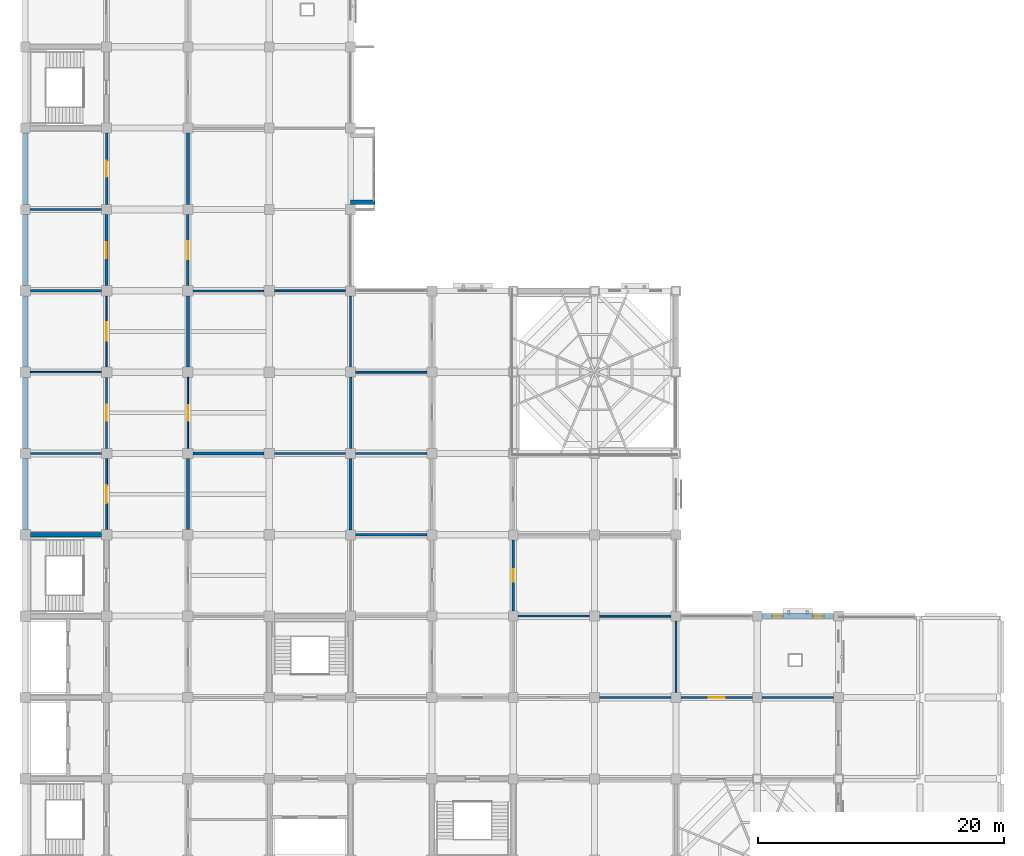
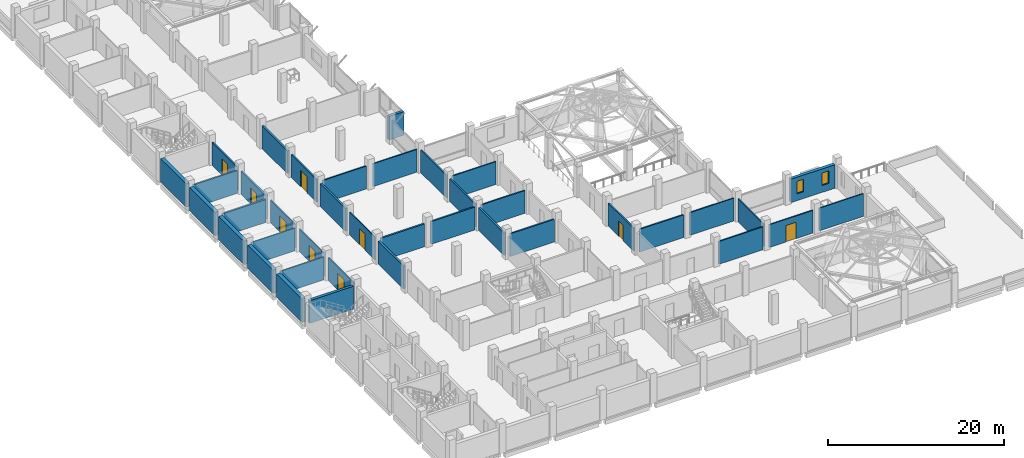
# One storey, part 16 of 25: 39 walls, 9 doors, 2 windows, 11 openings.
"""IFC4 building model written with IfcOpenShell, lengths in metres."""

from ifc_helpers import new_model, si_unit, direction, frame, frame_2d, origin, place, context, subcontext, project, spatial, rectangle, extrude, material, layer, layer_set, type_object, element, fill, save


model = new_model("IFC4")

# Units and contexts
model_context = context("Model", 3, precision=1e-05, world=origin(), true_north=direction((0.0, 1.0)))
body_context = subcontext(model_context, "Body", "Model", "MODEL_VIEW")
ifc_project = project(units=[si_unit("LENGTHUNIT", "METRE"), si_unit("AREAUNIT", "SQUARE_METRE"), si_unit("VOLUMEUNIT", "CUBIC_METRE"), si_unit("PLANEANGLEUNIT", "RADIAN"), si_unit("MASSUNIT", "GRAM", prefix="KILO")], contexts=[model_context])

# Site, building, storey
site_placement = place(None, origin())
site = spatial("IfcSite", under=ifc_project, at=site_placement, CompositionType="ELEMENT")
building_placement = place(site_placement, origin())
building = spatial("IfcBuilding", under=site, at=building_placement, Name="Rusizi Kubbe Research Institute", CompositionType="ELEMENT")
storey_placement = place(building_placement, frame((0.0, 0.0, 14.39990234375)))
storey = spatial("IfcBuildingStorey", under=building, at=storey_placement, Name="L03", CompositionType="ELEMENT", Elevation=14.39990234375)

# Wall
ifc_material_1 = material(Name="Concrete C45/55", Category="concrete")
ifc_layer_1 = layer(ifc_material_1, 0.35009765625)
ifc_layer_set_1 = layer_set([ifc_layer_1], Name="Concrete C45/55")
wall_type_1 = type_object("IfcWallType", Name="CRW-01", PredefinedType="SHEAR", material=ifc_layer_set_1)
wall_1_placement = place(storey_placement, frame((0.425048828125, 33.0, 0.0), z_axis=(0.0, 0.0, 1.0), x_axis=(1.0, 0.0, 0.0)))
element("IfcWall", 1, at=wall_1_placement, inside=storey, type_object=wall_type_1, Name="Stair Core Shear Wall ST2 L03 N", PredefinedType="SHEAR", context=body_context, shape_type="SweptSolid", body=[
    extrude(rectangle(XDim=5.75, YDim=0.35009765625, at=frame_2d((2.875, 0.0))), origin(), (0.0, 0.0, 1.0), 3.16015625),
])

# Wall, openings, windows
ifc_material_2 = material(Name="Volcanic Basalt Ashlar Masonry", Category="masonry")
ifc_layer_2 = layer(ifc_material_2, 0.419921875)
ifc_layer_set_2 = layer_set([ifc_layer_2], Name="Volcanic Basalt Ashlar Masonry")
wall_type_2 = type_object("IfcWallType", Name="EW-02", PredefinedType="SOLIDWALL", material=ifc_layer_set_2)
wall_2_placement = place(storey_placement, frame((59.800048828125, 26.39990234375, 0.0), z_axis=(0.0, 0.0, 1.0), x_axis=(1.0, 0.0, 0.0)))
wall_2 = element("IfcWall", 2, at=wall_2_placement, inside=storey, type_object=wall_type_2, Name="Ablaq Stone Exterior Wall L03 H9-4", PredefinedType="SOLIDWALL", context=body_context, shape_type="SweptSolid", body=[
    extrude(rectangle(XDim=5.800048828125, YDim=0.419921875, at=frame_2d((2.89990234375, 0.0))), origin(), (0.0, 0.0, 1.0), 3.260009765625),
])
opening_1_placement = place(wall_2_placement, frame((0.800048828125, 0.0, 0.949951171875)))
opening_1 = element("IfcOpeningElement", 3, at=opening_1_placement, cuts=wall_2, Name="Opening WN-03", PredefinedType="OPENING", context=body_context, shape_type="SweptSolid", body=[
    extrude(rectangle(XDim=0.8798828125, YDim=1.739990234375, at=frame_2d((0.43994140625, 0.8701171875))), frame((0.0, 0.219970703125, 0.0), z_axis=(0.0, -1.0, 0.0), x_axis=(1.0, 0.0, 0.0)), (0.0, 0.0, 1.0), 0.43994140625),
])
opening_2_placement = place(wall_2_placement, frame((4.1201171875, 0.0, 0.949951171875)))
opening_2 = element("IfcOpeningElement", 4, at=opening_2_placement, cuts=wall_2, Name="Opening WN-03", PredefinedType="OPENING", context=body_context, shape_type="SweptSolid", body=[
    extrude(rectangle(XDim=0.8798828125, YDim=1.739990234375, at=frame_2d((0.43994140625, 0.8701171875))), frame((0.0, 0.219970703125, 0.0), z_axis=(0.0, -1.0, 0.0), x_axis=(1.0, 0.0, 0.0)), (0.0, 0.0, 1.0), 0.43994140625),
])
ifc_material_3 = material(Name="Aluminium Frame and Solar-Control Double Glazing", Category="glass")
window_type = type_object("IfcWindowType", Name="WN-03", PartitioningType="SINGLE_PANEL", PredefinedType="WINDOW", material=ifc_material_3)
window_1_placement = place(opening_1_placement, origin())
window_1 = element("IfcWindow", 5, at=window_1_placement, inside=storey, type_object=window_type, Name="Casement Window WN-03 L03", OverallHeight=1.739990234375, OverallWidth=0.8798828125, PartitioningType="SINGLE_PANEL", PredefinedType="WINDOW", context=body_context, shape_type="SweptSolid", body=[
    extrude(rectangle(XDim=0.8798828125, YDim=1.739990234375, at=frame_2d((0.43994140625, 0.8701171875))), frame((0.0, 0.030029296875, 0.0), z_axis=(0.0, -1.0, 0.0), x_axis=(1.0, 0.0, 0.0)), (0.0, 0.0, 1.0), 0.06005859375),
])
fill(opening_1, window_1)
window_2_placement = place(opening_2_placement, origin())
window_2 = element("IfcWindow", 6, at=window_2_placement, inside=storey, type_object=window_type, Name="Casement Window WN-03 L03", OverallHeight=1.739990234375, OverallWidth=0.8798828125, PartitioningType="SINGLE_PANEL", PredefinedType="WINDOW", context=body_context, shape_type="SweptSolid", body=[
    extrude(rectangle(XDim=0.8798828125, YDim=1.739990234375, at=frame_2d((0.43994140625, 0.8701171875))), frame((0.0, 0.030029296875, 0.0), z_axis=(0.0, -1.0, 0.0), x_axis=(1.0, 0.0, 0.0)), (0.0, 0.0, 1.0), 0.06005859375),
])
fill(opening_2, window_2)

# Walls
ifc_material_4 = material(Name="Volcanic Basalt Ashlar Masonry", Category="masonry")
ifc_layer_3 = layer(ifc_material_4, 0.35498046875)
ifc_layer_set_3 = layer_set([ifc_layer_3], Name="Volcanic Basalt Ashlar Masonry")
wall_type_3 = type_object("IfcWallType", Name="EW-06", PredefinedType="SOLIDWALL", material=ifc_layer_set_3)
wall_3_placement = place(storey_placement, frame((26.39990234375, 60.0, 0.0), z_axis=(0.0, 0.0, 1.0), x_axis=(1.0, 0.0, 0.0)))
element("IfcWall", 7, at=wall_3_placement, inside=storey, type_object=wall_type_3, Name="Cumba Return Wall S L03 (4,9)", PredefinedType="SOLIDWALL", context=body_context, shape_type="SweptSolid", body=[
    extrude(rectangle(XDim=2.0, YDim=0.35498046875, at=frame_2d((1.0, 0.0))), origin(), (0.0, 0.0, 1.0), 3.260009765625),
])
ifc_material_5 = material(Name="Concrete Blockwork Fire Partition", Category="masonry")
ifc_layer_4 = layer(ifc_material_5, 0.22509765625)
ifc_layer_set_4 = layer_set([ifc_layer_4], Name="Concrete Blockwork Fire Partition")
wall_type_4 = type_object("IfcWallType", Name="IW-01", PredefinedType="PARTITIONING", material=ifc_layer_set_4)
wall_4_placement = place(storey_placement, frame((0.425048828125, 52.800048828125, 0.0), z_axis=(0.0, 0.0, 1.0), x_axis=(1.0, 0.0, 0.0)))
element("IfcWall", 8, at=wall_4_placement, inside=storey, type_object=wall_type_4, Name="Interior Partition Wall L03 H0-8", PredefinedType="PARTITIONING", context=body_context, shape_type="SweptSolid", body=[
    extrude(rectangle(XDim=5.75, YDim=0.22509765625, at=frame_2d((2.875, 0.0))), origin(), (0.0, 0.0, 1.0), 3.16015625),
])

# Wall, opening, door
wall_5_placement = place(storey_placement, frame((6.60009765625, 53.22509765625, 0.0), z_axis=(0.0, 0.0, 1.0), x_axis=(0.0, 1.0, 0.0)))
wall_5 = element("IfcWall", 9, at=wall_5_placement, inside=storey, type_object=wall_type_4, Name="Interior Partition Wall L03 V1-8", PredefinedType="PARTITIONING", context=body_context, shape_type="SweptSolid", body=[
    extrude(rectangle(XDim=5.77490234375, YDim=0.22509765625, at=frame_2d((2.887451171875, 0.0))), origin(), (0.0, 0.0, 1.0), 3.16015625),
])
opening_3_placement = place(wall_5_placement, frame((2.215087890625, 0.0, 0.0)))
opening_3 = element("IfcOpeningElement", 10, at=opening_3_placement, cuts=wall_5, Name="Opening LD-07", PredefinedType="OPENING", context=body_context, shape_type="SweptSolid", body=[
    extrude(rectangle(XDim=1.320068359375, YDim=2.199951171875, at=frame_2d((0.66015625, 1.10009765625))), frame((0.0, 0.12255859375, 0.0), z_axis=(0.0, -1.0, 0.0), x_axis=(1.0, 0.0, 0.0)), (0.0, 0.0, 1.0), 0.2451171875),
])
ifc_material_6 = material(Name="Brushed Stainless Steel Sliding Door", Category="steel")
door_type_1 = type_object("IfcDoorType", Name="LD-07", OperationType="DOUBLE_DOOR_SLIDING", PredefinedType="USERDEFINED", material=ifc_material_6)
door_1_placement = place(opening_3_placement, origin())
door_1 = element("IfcDoor", 11, at=door_1_placement, inside=storey, type_object=door_type_1, Name="Door to ISO-6 Clean Room Suite (L03-CR-08)", ObjectType="SLIDING DOOR", OperationType="DOUBLE_DOOR_SLIDING", OverallHeight=2.199951171875, OverallWidth=1.320068359375, PredefinedType="USERDEFINED", context=body_context, shape_type="SweptSolid", body=[
    extrude(rectangle(XDim=1.320068359375, YDim=2.199951171875, at=frame_2d((0.66015625, 1.10009765625))), frame((0.0, 0.02490234375, 0.0), z_axis=(0.0, -1.0, 0.0), x_axis=(1.0, 0.0, 0.0)), (0.0, 0.0, 1.0), 0.050048828125),
])
fill(opening_3, door_1)

# Walls
wall_6_placement = place(storey_placement, frame((13.625, 39.60009765625, 0.0), z_axis=(0.0, 0.0, 1.0), x_axis=(1.0, 0.0, 0.0)))
element("IfcWall", 12, at=wall_6_placement, inside=storey, type_object=wall_type_4, Name="Interior Partition Wall L03 H2-6", PredefinedType="PARTITIONING", context=body_context, shape_type="SweptSolid", body=[
    extrude(rectangle(XDim=5.75, YDim=0.22509765625, at=frame_2d((2.875, 0.0))), origin(), (0.0, 0.0, 1.0), 3.16015625),
])
wall_7_placement = place(storey_placement, frame((26.39990234375, 33.39990234375, 0.0), z_axis=(0.0, 0.0, 1.0), x_axis=(0.0, 1.0, 0.0)))
element("IfcWall", 13, at=wall_7_placement, inside=storey, type_object=wall_type_4, Name="Interior Partition Wall L03 V4-5", PredefinedType="PARTITIONING", context=body_context, shape_type="SweptSolid", body=[
    extrude(rectangle(XDim=5.800048828125, YDim=0.22509765625, at=frame_2d((2.89990234375, 0.0))), origin(), (0.0, 0.0, 1.0), 3.16015625),
])
ifc_material_7 = material(Name="Insulated Cleanroom Partition", Category="masonry")
ifc_layer_5 = layer(ifc_material_7, 0.195068359375)
ifc_layer_set_5 = layer_set([ifc_layer_5], Name="Insulated Cleanroom Partition")
wall_type_5 = type_object("IfcWallType", Name="IW-02", PredefinedType="PARTITIONING", material=ifc_layer_set_5)
wall_8_placement = place(storey_placement, frame((0.39990234375, 59.39990234375, 0.0), z_axis=(0.0, 0.0, 1.0), x_axis=(1.0, 0.0, 0.0)))
element("IfcWall", 14, at=wall_8_placement, inside=storey, type_object=wall_type_5, Name="Interior Partition Wall L03 H0-9", PredefinedType="PARTITIONING", context=body_context, shape_type="SweptSolid", body=[
    extrude(rectangle(XDim=5.800048828125, YDim=0.195068359375, at=frame_2d((2.89990234375, 0.0))), origin(), (0.0, 0.0, 1.0), 3.16015625),
])

# Wall, opening, door
wall_9_placement = place(storey_placement, frame((6.60009765625, 59.800048828125, 0.0), z_axis=(0.0, 0.0, 1.0), x_axis=(0.0, 1.0, 0.0)))
wall_9 = element("IfcWall", 15, at=wall_9_placement, inside=storey, type_object=wall_type_5, Name="Interior Partition Wall L03 V1-9", PredefinedType="PARTITIONING", context=body_context, shape_type="SweptSolid", body=[
    extrude(rectangle(XDim=5.800048828125, YDim=0.195068359375, at=frame_2d((2.89990234375, 0.0))), origin(), (0.0, 0.0, 1.0), 3.16015625),
])
opening_4_placement = place(wall_9_placement, frame((2.25, 0.0, 0.0)))
opening_4 = element("IfcOpeningElement", 16, at=opening_4_placement, cuts=wall_9, Name="Opening D-14", PredefinedType="OPENING", context=body_context, shape_type="SweptSolid", body=[
    extrude(rectangle(XDim=1.300048828125, YDim=2.300048828125, at=frame_2d((0.64990234375, 1.14990234375))), frame((0.0, 0.107421875, 0.0), z_axis=(0.0, -1.0, 0.0), x_axis=(1.0, 0.0, 0.0)), (0.0, 0.0, 1.0), 0.215087890625),
])
ifc_material_8 = material(Name="Fire-Rated Steel Frame and Acoustic Timber Leaf", Category="wood")
door_type_2 = type_object("IfcDoorType", Name="ID-LAB-130", OperationType="NOTDEFINED", PredefinedType="DOOR", material=ifc_material_8)
door_2_placement = place(opening_4_placement, origin())
door_2 = element("IfcDoor", 17, at=door_2_placement, inside=storey, type_object=door_type_2, Name="Door to Clean Room Metrology Laboratory (L03-WSP-09)", OperationType="SINGLE_SWING_RIGHT", OverallHeight=2.300048828125, OverallWidth=1.300048828125, PredefinedType="DOOR", context=body_context, shape_type="SweptSolid", body=[
    extrude(rectangle(XDim=1.300048828125, YDim=2.300048828125, at=frame_2d((0.64990234375, 1.14990234375))), frame((0.0, 0.02490234375, 0.0), z_axis=(0.0, -1.0, 0.0), x_axis=(1.0, 0.0, 0.0)), (0.0, 0.0, 1.0), 0.050048828125),
])
fill(opening_4, door_2)

wall_10_placement = place(storey_placement, frame((13.199951171875, 53.22509765625, 0.0), z_axis=(0.0, 0.0, 1.0), x_axis=(0.0, 1.0, 0.0)))
wall_10 = element("IfcWall", 18, at=wall_10_placement, inside=storey, type_object=wall_type_5, Name="Interior Partition Wall L03 V2-8", PredefinedType="PARTITIONING", context=body_context, shape_type="SweptSolid", body=[
    extrude(rectangle(XDim=5.77490234375, YDim=0.195068359375, at=frame_2d((2.887451171875, 0.0))), origin(), (0.0, 0.0, 1.0), 3.16015625),
])
opening_5_placement = place(wall_10_placement, frame((2.14990234375, 0.0, 0.0)))
opening_5 = element("IfcOpeningElement", 19, at=opening_5_placement, cuts=wall_10, Name="Opening D-11", PredefinedType="OPENING", context=body_context, shape_type="SweptSolid", body=[
    extrude(rectangle(XDim=1.449951171875, YDim=2.25, at=frame_2d((0.72509765625, 1.125))), frame((0.0, 0.107421875, 0.0), z_axis=(0.0, -1.0, 0.0), x_axis=(1.0, 0.0, 0.0)), (0.0, 0.0, 1.0), 0.215087890625),
])
ifc_material_9 = material(Name="Fire-Rated Steel Frame and Acoustic Timber Leaf", Category="wood")
door_type_3 = type_object("IfcDoorType", Name="ID-LAB-145", OperationType="NOTDEFINED", PredefinedType="DOOR", material=ifc_material_9)
door_3_placement = place(opening_5_placement, origin())
door_3 = element("IfcDoor", 20, at=door_3_placement, inside=storey, type_object=door_type_3, Name="Door to Computational Dry Laboratory (L03-NW-04)", OperationType="SINGLE_SWING_LEFT", OverallHeight=2.25, OverallWidth=1.449951171875, PredefinedType="DOOR", context=body_context, shape_type="SweptSolid", body=[
    extrude(rectangle(XDim=1.449951171875, YDim=2.25, at=frame_2d((0.72509765625, 1.125))), frame((0.0, 0.02490234375, 0.0), z_axis=(0.0, -1.0, 0.0), x_axis=(1.0, 0.0, 0.0)), (0.0, 0.0, 1.0), 0.050048828125),
])
fill(opening_5, door_3)

# Walls
wall_11_placement = place(storey_placement, frame((20.22509765625, 39.60009765625, 0.0), z_axis=(0.0, 0.0, 1.0), x_axis=(1.0, 0.0, 0.0)))
element("IfcWall", 21, at=wall_11_placement, inside=storey, type_object=wall_type_5, Name="Interior Partition Wall L03 H3-6", PredefinedType="PARTITIONING", context=body_context, shape_type="SweptSolid", body=[
    extrude(rectangle(XDim=5.77490234375, YDim=0.195068359375, at=frame_2d((2.887451171875, 0.0))), origin(), (0.0, 0.0, 1.0), 3.16015625),
])
for number, where, z_axis, x_axis, name in (
    (22, (26.39990234375, 40.0, 0.0), (0.0, 0.0, 1.0), (0.0, 1.0, 0.0), "Interior Partition Wall L03 V4-6"),
    (23, (26.800048828125, 33.0, 0.0), (0.0, 0.0, 1.0), (1.0, 0.0, 0.0), "Interior Partition Wall L03 H4-5"),
):
    element("IfcWall", number, at=place(storey_placement, frame(where, z_axis=z_axis, x_axis=x_axis)), inside=storey, type_object=wall_type_5, Name=name, PredefinedType="PARTITIONING", context=body_context, shape_type="SweptSolid", body=[
        extrude(rectangle(XDim=5.800048828125, YDim=0.195068359375, at=frame_2d((2.89990234375, 0.0))), origin(), (0.0, 0.0, 1.0), 3.16015625),
    ])

# Wall, opening, door
wall_12_placement = place(storey_placement, frame((39.60009765625, 26.800048828125, 0.0), z_axis=(0.0, 0.0, 1.0), x_axis=(0.0, 1.0, 0.0)))
wall_12 = element("IfcWall", 24, at=wall_12_placement, inside=storey, type_object=wall_type_5, Name="Interior Partition Wall L03 V6-4", PredefinedType="PARTITIONING", context=body_context, shape_type="SweptSolid", body=[
    extrude(rectangle(XDim=5.800048828125, YDim=0.195068359375, at=frame_2d((2.89990234375, 0.0))), origin(), (0.0, 0.0, 1.0), 3.16015625),
])
opening_6_placement = place(wall_12_placement, frame((2.375, 0.0, 0.0)))
opening_6 = element("IfcOpeningElement", 25, at=opening_6_placement, cuts=wall_12, Name="Opening D-16", PredefinedType="OPENING", context=body_context, shape_type="SweptSolid", body=[
    extrude(rectangle(XDim=1.050048828125, YDim=2.14990234375, at=frame_2d((0.52490234375, 1.074951171875))), frame((0.0, 0.107421875, 0.0), z_axis=(0.0, -1.0, 0.0), x_axis=(1.0, 0.0, 0.0)), (0.0, 0.0, 1.0), 0.215087890625),
])
ifc_material_10 = material(Name="Fire-Rated Steel Frame and Acoustic Timber Leaf", Category="wood")
door_type_4 = type_object("IfcDoorType", Name="ID-OFF-105", OperationType="NOTDEFINED", PredefinedType="DOOR", material=ifc_material_10)
door_4_placement = place(opening_6_placement, origin())
door_4 = element("IfcDoor", 26, at=door_4_placement, inside=storey, type_object=door_type_4, Name="Door to Write-up Office (L03-ELBE-04)", OperationType="SINGLE_SWING_LEFT", OverallHeight=2.14990234375, OverallWidth=1.050048828125, PredefinedType="DOOR", context=body_context, shape_type="SweptSolid", body=[
    extrude(rectangle(XDim=1.050048828125, YDim=2.14990234375, at=frame_2d((0.52490234375, 1.074951171875))), frame((0.0, 0.02490234375, 0.0), z_axis=(0.0, -1.0, 0.0), x_axis=(1.0, 0.0, 0.0)), (0.0, 0.0, 1.0), 0.050048828125),
])
fill(opening_6, door_4)

# Walls
ifc_material_11 = material(Name="Acoustic Laboratory Partition", Category="masonry")
ifc_layer_6 = layer(ifc_material_11, 0.175048828125)
ifc_layer_set_6 = layer_set([ifc_layer_6], Name="Acoustic Laboratory Partition")
wall_type_6 = type_object("IfcWallType", Name="IW-03", PredefinedType="PARTITIONING", material=ifc_layer_set_6)
wall_13_placement = place(storey_placement, frame((13.625, 52.800048828125, 0.0), z_axis=(0.0, 0.0, 1.0), x_axis=(1.0, 0.0, 0.0)))
element("IfcWall", 27, at=wall_13_placement, inside=storey, type_object=wall_type_6, Name="Interior Partition Wall L03 H2-8", PredefinedType="PARTITIONING", context=body_context, shape_type="SweptSolid", body=[
    extrude(rectangle(XDim=5.75, YDim=0.175048828125, at=frame_2d((2.875, 0.0))), origin(), (0.0, 0.0, 1.0), 3.16015625),
])
wall_14_placement = place(storey_placement, frame((26.39990234375, 46.60009765625, 0.0), z_axis=(0.0, 0.0, 1.0), x_axis=(0.0, 1.0, 0.0)))
element("IfcWall", 28, at=wall_14_placement, inside=storey, type_object=wall_type_6, Name="Interior Partition Wall L03 V4-7", PredefinedType="PARTITIONING", context=body_context, shape_type="SweptSolid", body=[
    extrude(rectangle(XDim=5.7998046875, YDim=0.175048828125, at=frame_2d((2.89990234375, 0.0))), origin(), (0.0, 0.0, 1.0), 3.16015625),
])
for number, where, z_axis, x_axis, name in (
    (29, (26.800048828125, 39.60009765625, 0.0), (0.0, 0.0, 1.0), (1.0, 0.0, 0.0), "Interior Partition Wall L03 H4-6"),
    (30, (40.0, 26.39990234375, 0.0), (0.0, 0.0, 1.0), (1.0, 0.0, 0.0), "Interior Partition Wall L03 H6-4"),
):
    element("IfcWall", number, at=place(storey_placement, frame(where, z_axis=z_axis, x_axis=x_axis)), inside=storey, type_object=wall_type_6, Name=name, PredefinedType="PARTITIONING", context=body_context, shape_type="SweptSolid", body=[
        extrude(rectangle(XDim=5.800048828125, YDim=0.175048828125, at=frame_2d((2.89990234375, 0.0))), origin(), (0.0, 0.0, 1.0), 3.16015625),
    ])
wall_15_placement = place(storey_placement, frame((46.60009765625, 19.800048828125, 0.0), z_axis=(0.0, 0.0, 1.0), x_axis=(1.0, 0.0, 0.0)))
element("IfcWall", 31, at=wall_15_placement, inside=storey, type_object=wall_type_6, Name="Interior Partition Wall L03 H7-3", PredefinedType="PARTITIONING", context=body_context, shape_type="SweptSolid", body=[
    extrude(rectangle(XDim=5.7998046875, YDim=0.175048828125, at=frame_2d((2.89990234375, 0.0))), origin(), (0.0, 0.0, 1.0), 3.16015625),
])
wall_16_placement = place(storey_placement, frame((52.800048828125, 20.199951171875, 0.0), z_axis=(0.0, 0.0, 1.0), x_axis=(0.0, 1.0, 0.0)))
element("IfcWall", 32, at=wall_16_placement, inside=storey, type_object=wall_type_6, Name="Interior Partition Wall L03 V8-3", PredefinedType="PARTITIONING", context=body_context, shape_type="SweptSolid", body=[
    extrude(rectangle(XDim=5.800048828125, YDim=0.175048828125, at=frame_2d((2.89990234375, 0.0))), origin(), (0.0, 0.0, 1.0), 3.16015625),
])

# Wall, opening, door
ifc_material_12 = material(Name="Fire-Rated Corridor Partition", Category="masonry")
ifc_layer_7 = layer(ifc_material_12, 0.155029296875)
ifc_layer_set_7 = layer_set([ifc_layer_7], Name="Fire-Rated Corridor Partition")
wall_type_7 = type_object("IfcWallType", Name="IW-04", PredefinedType="PARTITIONING", material=ifc_layer_set_7)
wall_17_placement = place(storey_placement, frame((6.60009765625, 33.425048828125, 0.0), z_axis=(0.0, 0.0, 1.0), x_axis=(0.0, 1.0, 0.0)))
wall_17 = element("IfcWall", 33, at=wall_17_placement, inside=storey, type_object=wall_type_7, Name="Interior Partition Wall L03 V1-5", PredefinedType="PARTITIONING", context=body_context, shape_type="SweptSolid", body=[
    extrude(rectangle(XDim=5.75, YDim=0.155029296875, at=frame_2d((2.875, 0.0))), origin(), (0.0, 0.0, 1.0), 3.16015625),
])
opening_7_placement = place(wall_17_placement, frame((2.135009765625, 0.0, 0.0)))
opening_7 = element("IfcOpeningElement", 34, at=opening_7_placement, cuts=wall_17, Name="Opening LD-08", PredefinedType="OPENING", context=body_context, shape_type="SweptSolid", body=[
    extrude(rectangle(XDim=1.47998046875, YDim=2.25, at=frame_2d((0.739990234375, 1.125))), frame((0.0, 0.08740234375, 0.0), z_axis=(0.0, -1.0, 0.0), x_axis=(1.0, 0.0, 0.0)), (0.0, 0.0, 1.0), 0.175048828125),
])
ifc_material_13 = material(Name="Brushed Stainless Steel Sliding Door", Category="steel")
door_type_5 = type_object("IfcDoorType", Name="LD-08", OperationType="DOUBLE_DOOR_SLIDING", PredefinedType="USERDEFINED", material=ifc_material_13)
door_5_placement = place(opening_7_placement, origin())
door_5 = element("IfcDoor", 35, at=door_5_placement, inside=storey, type_object=door_type_5, Name="Door to Clean Room Gowning Airlock (L03-ALK-05)", ObjectType="SLIDING DOOR", OperationType="DOUBLE_DOOR_SLIDING", OverallHeight=2.25, OverallWidth=1.47998046875, PredefinedType="USERDEFINED", context=body_context, shape_type="SweptSolid", body=[
    extrude(rectangle(XDim=1.47998046875, YDim=2.25, at=frame_2d((0.739990234375, 1.125))), frame((0.0, 0.02490234375, 0.0), z_axis=(0.0, -1.0, 0.0), x_axis=(1.0, 0.0, 0.0)), (0.0, 0.0, 1.0), 0.050048828125),
])
fill(opening_7, door_5)

# Walls
wall_18_placement = place(storey_placement, frame((20.22509765625, 52.800048828125, 0.0), z_axis=(0.0, 0.0, 1.0), x_axis=(1.0, 0.0, 0.0)))
element("IfcWall", 36, at=wall_18_placement, inside=storey, type_object=wall_type_7, Name="Interior Partition Wall L03 H3-8", PredefinedType="PARTITIONING", context=body_context, shape_type="SweptSolid", body=[
    extrude(rectangle(XDim=5.77490234375, YDim=0.155029296875, at=frame_2d((2.887451171875, 0.0))), origin(), (0.0, 0.0, 1.0), 3.16015625),
])
wall_19_placement = place(storey_placement, frame((26.800048828125, 46.199951171875, 0.0), z_axis=(0.0, 0.0, 1.0), x_axis=(1.0, 0.0, 0.0)))
element("IfcWall", 37, at=wall_19_placement, inside=storey, type_object=wall_type_7, Name="Interior Partition Wall L03 H4-7", PredefinedType="PARTITIONING", context=body_context, shape_type="SweptSolid", body=[
    extrude(rectangle(XDim=5.800048828125, YDim=0.155029296875, at=frame_2d((2.89990234375, 0.0))), origin(), (0.0, 0.0, 1.0), 3.16015625),
])
wall_20_placement = place(storey_placement, frame((46.60009765625, 26.39990234375, 0.0), z_axis=(0.0, 0.0, 1.0), x_axis=(1.0, 0.0, 0.0)))
element("IfcWall", 38, at=wall_20_placement, inside=storey, type_object=wall_type_7, Name="Interior Partition Wall L03 H7-4", PredefinedType="PARTITIONING", context=body_context, shape_type="SweptSolid", body=[
    extrude(rectangle(XDim=5.7998046875, YDim=0.155029296875, at=frame_2d((2.89990234375, 0.0))), origin(), (0.0, 0.0, 1.0), 3.16015625),
])

# Wall, opening, door
wall_21_placement = place(storey_placement, frame((53.199951171875, 19.800048828125, 0.0), z_axis=(0.0, 0.0, 1.0), x_axis=(1.0, 0.0, 0.0)))
wall_21 = element("IfcWall", 39, at=wall_21_placement, inside=storey, type_object=wall_type_7, Name="Interior Partition Wall L03 H8-3", PredefinedType="PARTITIONING", context=body_context, shape_type="SweptSolid", body=[
    extrude(rectangle(XDim=5.800048828125, YDim=0.155029296875, at=frame_2d((2.89990234375, 0.0))), origin(), (0.0, 0.0, 1.0), 3.16015625),
])
opening_8_placement = place(wall_21_placement, frame((2.25, 0.0, 0.0)))
opening_8 = element("IfcOpeningElement", 40, at=opening_8_placement, cuts=wall_21, Name="Opening D-14", PredefinedType="OPENING", context=body_context, shape_type="SweptSolid", body=[
    extrude(rectangle(XDim=1.300048828125, YDim=2.300048828125, at=frame_2d((0.64990234375, 1.14990234375))), frame((0.0, 0.08740234375, 0.0), z_axis=(0.0, -1.0, 0.0), x_axis=(1.0, 0.0, 0.0)), (0.0, 0.0, 1.0), 0.175048828125),
])
door_6_placement = place(opening_8_placement, origin())
door_6 = element("IfcDoor", 41, at=door_6_placement, inside=storey, type_object=door_type_2, Name="Door to Molecular Diagnostics Laboratory (L03-EWN-01)", OperationType="SINGLE_SWING_RIGHT", OverallHeight=2.300048828125, OverallWidth=1.300048828125, PredefinedType="DOOR", context=body_context, shape_type="SweptSolid", body=[
    extrude(rectangle(XDim=1.300048828125, YDim=2.300048828125, at=frame_2d((0.64990234375, 1.14990234375))), frame((0.0, 0.02490234375, 0.0), z_axis=(0.0, -1.0, 0.0), x_axis=(1.0, 0.0, 0.0)), (0.0, 0.0, 1.0), 0.050048828125),
])
fill(opening_8, door_6)

# Wall
ifc_material_14 = material(Name="Write-up Glazed Acoustic Partition", Category="masonry")
ifc_layer_8 = layer(ifc_material_14, 0.139892578125)
ifc_layer_set_8 = layer_set([ifc_layer_8], Name="Write-up Glazed Acoustic Partition")
wall_type_8 = type_object("IfcWallType", Name="IW-05", PredefinedType="PARTITIONING", material=ifc_layer_set_8)
wall_22_placement = place(storey_placement, frame((0.425048828125, 39.60009765625, 0.0), z_axis=(0.0, 0.0, 1.0), x_axis=(1.0, 0.0, 0.0)))
element("IfcWall", 42, at=wall_22_placement, inside=storey, type_object=wall_type_8, Name="Interior Partition Wall L03 H0-6", PredefinedType="PARTITIONING", context=body_context, shape_type="SweptSolid", body=[
    extrude(rectangle(XDim=5.75, YDim=0.139892578125, at=frame_2d((2.875, 0.0))), origin(), (0.0, 0.0, 1.0), 3.16015625),
])

# Wall, opening, door
wall_23_placement = place(storey_placement, frame((6.60009765625, 40.02490234375, 0.0), z_axis=(0.0, 0.0, 1.0), x_axis=(0.0, 1.0, 0.0)))
wall_23 = element("IfcWall", 43, at=wall_23_placement, inside=storey, type_object=wall_type_8, Name="Interior Partition Wall L03 V1-6", PredefinedType="PARTITIONING", context=body_context, shape_type="SweptSolid", body=[
    extrude(rectangle(XDim=5.75, YDim=0.139892578125, at=frame_2d((2.875, 0.0))), origin(), (0.0, 0.0, 1.0), 3.16015625),
])
opening_9_placement = place(wall_23_placement, frame((2.215087890625, 0.0, 0.0)))
opening_9 = element("IfcOpeningElement", 44, at=opening_9_placement, cuts=wall_23, Name="Opening LD-07", PredefinedType="OPENING", context=body_context, shape_type="SweptSolid", body=[
    extrude(rectangle(XDim=1.320068359375, YDim=2.199951171875, at=frame_2d((0.66015625, 1.10009765625))), frame((0.0, 0.079833984375, 0.0), z_axis=(0.0, -1.0, 0.0), x_axis=(1.0, 0.0, 0.0)), (0.0, 0.0, 1.0), 0.159912109375),
])
door_7_placement = place(opening_9_placement, origin())
door_7 = element("IfcDoor", 45, at=door_7_placement, inside=storey, type_object=door_type_1, Name="Door to ISO-6 Clean Room Suite (L03-CR-06)", ObjectType="SLIDING DOOR", OperationType="DOUBLE_DOOR_SLIDING", OverallHeight=2.199951171875, OverallWidth=1.320068359375, PredefinedType="USERDEFINED", context=body_context, shape_type="SweptSolid", body=[
    extrude(rectangle(XDim=1.320068359375, YDim=2.199951171875, at=frame_2d((0.66015625, 1.10009765625))), frame((0.0, 0.02490234375, 0.0), z_axis=(0.0, -1.0, 0.0), x_axis=(1.0, 0.0, 0.0)), (0.0, 0.0, 1.0), 0.050048828125),
])
fill(opening_9, door_7)

# Walls
wall_24_placement = place(storey_placement, frame((59.800048828125, 19.800048828125, 0.0), z_axis=(0.0, 0.0, 1.0), x_axis=(1.0, 0.0, 0.0)))
element("IfcWall", 46, at=wall_24_placement, inside=storey, type_object=wall_type_8, Name="Interior Partition Wall L03 H9-3", PredefinedType="PARTITIONING", context=body_context, shape_type="SweptSolid", body=[
    extrude(rectangle(XDim=5.800048828125, YDim=0.139892578125, at=frame_2d((2.89990234375, 0.0))), origin(), (0.0, 0.0, 1.0), 3.16015625),
])
ifc_material_15 = material(Name="Sub-Suite Fire Partition", Category="masonry")
ifc_layer_9 = layer(ifc_material_15, 0.110107421875)
ifc_layer_set_9 = layer_set([ifc_layer_9], Name="Sub-Suite Fire Partition")
wall_type_9 = type_object("IfcWallType", Name="IW-07", PredefinedType="PARTITIONING", material=ifc_layer_set_9)
wall_25_placement = place(storey_placement, frame((0.425048828125, 46.199951171875, 0.0), z_axis=(0.0, 0.0, 1.0), x_axis=(1.0, 0.0, 0.0)))
element("IfcWall", 47, at=wall_25_placement, inside=storey, type_object=wall_type_9, Name="Interior Partition Wall L03 H0-7", PredefinedType="PARTITIONING", context=body_context, shape_type="SweptSolid", body=[
    extrude(rectangle(XDim=5.75, YDim=0.110107421875, at=frame_2d((2.875, 0.0))), origin(), (0.0, 0.0, 1.0), 3.16015625),
])

# Wall, opening, door
wall_26_placement = place(storey_placement, frame((6.60009765625, 46.625, 0.0), z_axis=(0.0, 0.0, 1.0), x_axis=(0.0, 1.0, 0.0)))
wall_26 = element("IfcWall", 48, at=wall_26_placement, inside=storey, type_object=wall_type_9, Name="Interior Partition Wall L03 V1-7", PredefinedType="PARTITIONING", context=body_context, shape_type="SweptSolid", body=[
    extrude(rectangle(XDim=5.75, YDim=0.110107421875, at=frame_2d((2.875, 0.0))), origin(), (0.0, 0.0, 1.0), 3.16015625),
])
opening_10_placement = place(wall_26_placement, frame((2.135009765625, 0.0, 0.0)))
opening_10 = element("IfcOpeningElement", 49, at=opening_10_placement, cuts=wall_26, Name="Opening LD-08", PredefinedType="OPENING", context=body_context, shape_type="SweptSolid", body=[
    extrude(rectangle(XDim=1.47998046875, YDim=2.25, at=frame_2d((0.739990234375, 1.125))), frame((0.0, 0.06494140625, 0.0), z_axis=(0.0, -1.0, 0.0), x_axis=(1.0, 0.0, 0.0)), (0.0, 0.0, 1.0), 0.130126953125),
])
door_8_placement = place(opening_10_placement, origin())
door_8 = element("IfcDoor", 50, at=door_8_placement, inside=storey, type_object=door_type_5, Name="Door to Clean Room Gowning Airlock (L03-ALK-07)", ObjectType="SLIDING DOOR", OperationType="DOUBLE_DOOR_SLIDING", OverallHeight=2.25, OverallWidth=1.47998046875, PredefinedType="USERDEFINED", context=body_context, shape_type="SweptSolid", body=[
    extrude(rectangle(XDim=1.47998046875, YDim=2.25, at=frame_2d((0.739990234375, 1.125))), frame((0.0, 0.02490234375, 0.0), z_axis=(0.0, -1.0, 0.0), x_axis=(1.0, 0.0, 0.0)), (0.0, 0.0, 1.0), 0.050048828125),
])
fill(opening_10, door_8)

wall_27_placement = place(storey_placement, frame((13.199951171875, 40.02490234375, 0.0), z_axis=(0.0, 0.0, 1.0), x_axis=(0.0, 1.0, 0.0)))
wall_27 = element("IfcWall", 51, at=wall_27_placement, inside=storey, type_object=wall_type_9, Name="Interior Partition Wall L03 V2-6", PredefinedType="PARTITIONING", context=body_context, shape_type="SweptSolid", body=[
    extrude(rectangle(XDim=5.75, YDim=0.110107421875, at=frame_2d((2.875, 0.0))), origin(), (0.0, 0.0, 1.0), 3.16015625),
])
opening_11_placement = place(wall_27_placement, frame((2.25, 0.0, 0.0)))
opening_11 = element("IfcOpeningElement", 52, at=opening_11_placement, cuts=wall_27, Name="Opening D-15", PredefinedType="OPENING", context=body_context, shape_type="SweptSolid", body=[
    extrude(rectangle(XDim=1.25, YDim=2.25, at=frame_2d((0.625, 1.125))), frame((0.0, 0.06494140625, 0.0), z_axis=(0.0, -1.0, 0.0), x_axis=(1.0, 0.0, 0.0)), (0.0, 0.0, 1.0), 0.130126953125),
])
ifc_material_16 = material(Name="Fire-Rated Steel Frame and Acoustic Timber Leaf", Category="wood")
door_type_6 = type_object("IfcDoorType", Name="ID-LAB-125", OperationType="NOTDEFINED", PredefinedType="DOOR", material=ifc_material_16)
door_9_placement = place(opening_11_placement, origin())
door_9 = element("IfcDoor", 53, at=door_9_placement, inside=storey, type_object=door_type_6, Name="Door to Bioscience Wet Laboratory (L03-NW-03)", OperationType="SINGLE_SWING_LEFT", OverallHeight=2.25, OverallWidth=1.25, PredefinedType="DOOR", context=body_context, shape_type="SweptSolid", body=[
    extrude(rectangle(XDim=1.25, YDim=2.25, at=frame_2d((0.625, 1.125))), frame((0.0, 0.02490234375, 0.0), z_axis=(0.0, -1.0, 0.0), x_axis=(1.0, 0.0, 0.0)), (0.0, 0.0, 1.0), 0.050048828125),
])
fill(opening_11, door_9)

# Walls
ifc_material_17 = material(Name="Concrete C40/50", Category="concrete")
ifc_layer_10 = layer(ifc_material_17, 0.47998046875)
ifc_layer_set_10 = layer_set([ifc_layer_10], Name="Concrete C40/50")
wall_type_10 = type_object("IfcWallType", Name="PW-01", PredefinedType="SOLIDWALL", material=ifc_layer_set_10)
for number, where, z_axis, x_axis, name in (
    (54, (0.0, 33.425048828125, 0.0), (0.0, 0.0, 1.0), (0.0, 1.0, 0.0), "Blind Party Wall L03 V0-5"),
    (55, (0.0, 40.02490234375, 0.0), (0.0, 0.0, 1.0), (0.0, 1.0, 0.0), "Blind Party Wall L03 V0-6"),
    (56, (0.0, 46.625, 0.0), (0.0, 0.0, 1.0), (0.0, 1.0, 0.0), "Blind Party Wall L03 V0-7"),
):
    element("IfcWall", number, at=place(storey_placement, frame(where, z_axis=z_axis, x_axis=x_axis)), inside=storey, type_object=wall_type_10, Name=name, PredefinedType="SOLIDWALL", context=body_context, shape_type="SweptSolid", body=[
        extrude(rectangle(XDim=5.75, YDim=0.47998046875, at=frame_2d((2.875, 0.0))), origin(), (0.0, 0.0, 1.0), 3.260009765625),
    ])
wall_28_placement = place(storey_placement, frame((0.0, 53.22509765625, 0.0), z_axis=(0.0, 0.0, 1.0), x_axis=(0.0, 1.0, 0.0)))
element("IfcWall", 57, at=wall_28_placement, inside=storey, type_object=wall_type_10, Name="Blind Party Wall L03 V0-8", PredefinedType="SOLIDWALL", context=body_context, shape_type="SweptSolid", body=[
    extrude(rectangle(XDim=5.77490234375, YDim=0.47998046875, at=frame_2d((2.887451171875, 0.0))), origin(), (0.0, 0.0, 1.0), 3.260009765625),
])
wall_29_placement = place(storey_placement, frame((0.0, 59.800048828125, 0.0), z_axis=(0.0, 0.0, 1.0), x_axis=(0.0, 1.0, 0.0)))
element("IfcWall", 58, at=wall_29_placement, inside=storey, type_object=wall_type_10, Name="Blind Party Wall L03 V0-9", PredefinedType="SOLIDWALL", context=body_context, shape_type="SweptSolid", body=[
    extrude(rectangle(XDim=5.800048828125, YDim=0.47998046875, at=frame_2d((2.89990234375, 0.0))), origin(), (0.0, 0.0, 1.0), 3.260009765625),
])
ifc_material_18 = material(Name="Concrete C40/50", Category="concrete")
ifc_layer_11 = layer(ifc_material_18, 0.2548828125)
ifc_layer_set_11 = layer_set([ifc_layer_11], Name="Concrete C40/50")
wall_type_11 = type_object("IfcWallType", Name="SHW-02", PredefinedType="SHEAR", material=ifc_layer_set_11)
for number, where, z_axis, x_axis, name in (
    (59, (13.199951171875, 33.425048828125, 0.0), (0.0, 0.0, 1.0), (0.0, 1.0, 0.0), "Interior Partition Wall L03 V2-5"),
    (60, (13.199951171875, 46.625, 0.0), (0.0, 0.0, 1.0), (0.0, 1.0, 0.0), "Interior Partition Wall L03 V2-7"),
):
    element("IfcWall", number, at=place(storey_placement, frame(where, z_axis=z_axis, x_axis=x_axis)), inside=storey, type_object=wall_type_11, Name=name, PredefinedType="SHEAR", context=body_context, shape_type="SweptSolid", body=[
        extrude(rectangle(XDim=5.75, YDim=0.2548828125, at=frame_2d((2.875, 0.0))), origin(), (0.0, 0.0, 1.0), 3.16015625),
    ])
wall_30_placement = place(storey_placement, frame((13.199951171875, 59.800048828125, 0.0), z_axis=(0.0, 0.0, 1.0), x_axis=(0.0, 1.0, 0.0)))
element("IfcWall", 61, at=wall_30_placement, inside=storey, type_object=wall_type_11, Name="Interior Partition Wall L03 V2-9", PredefinedType="SHEAR", context=body_context, shape_type="SweptSolid", body=[
    extrude(rectangle(XDim=5.800048828125, YDim=0.2548828125, at=frame_2d((2.89990234375, 0.0))), origin(), (0.0, 0.0, 1.0), 3.16015625),
])

save(model, "model.ifc")
